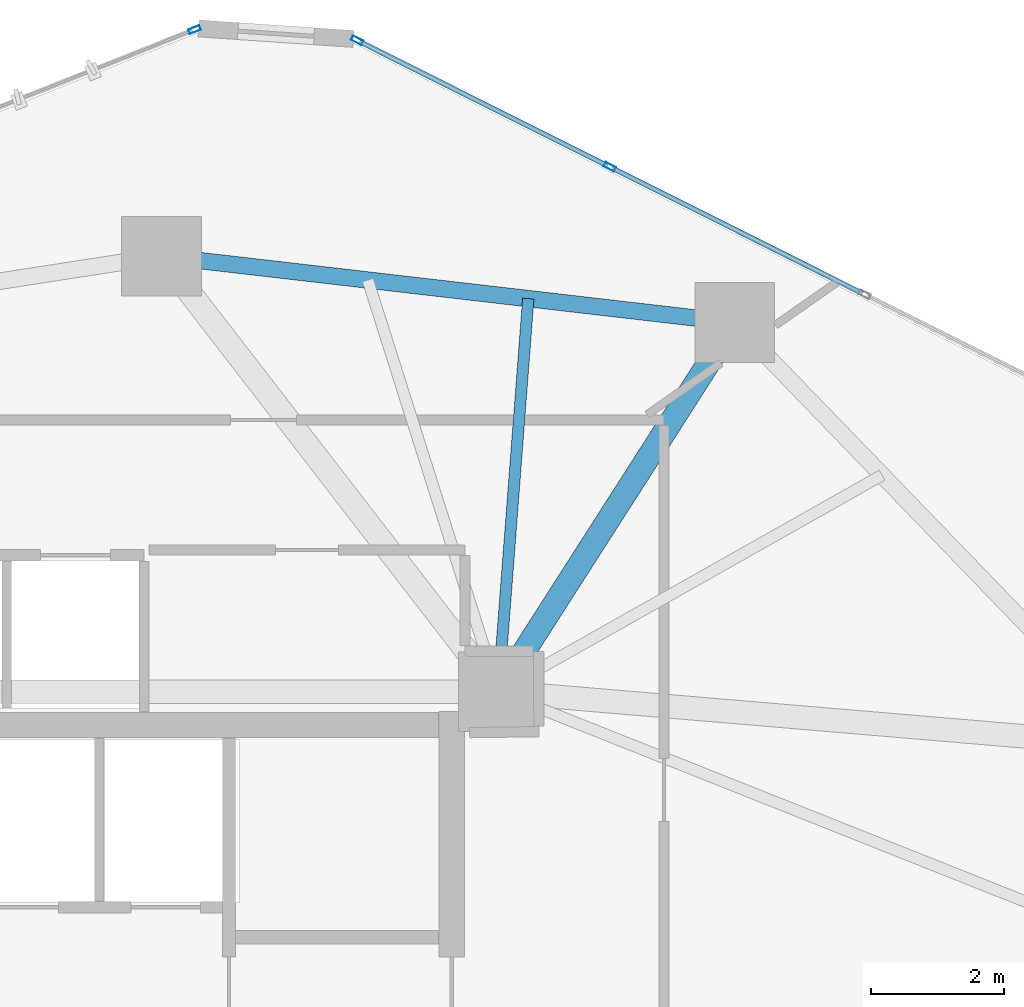
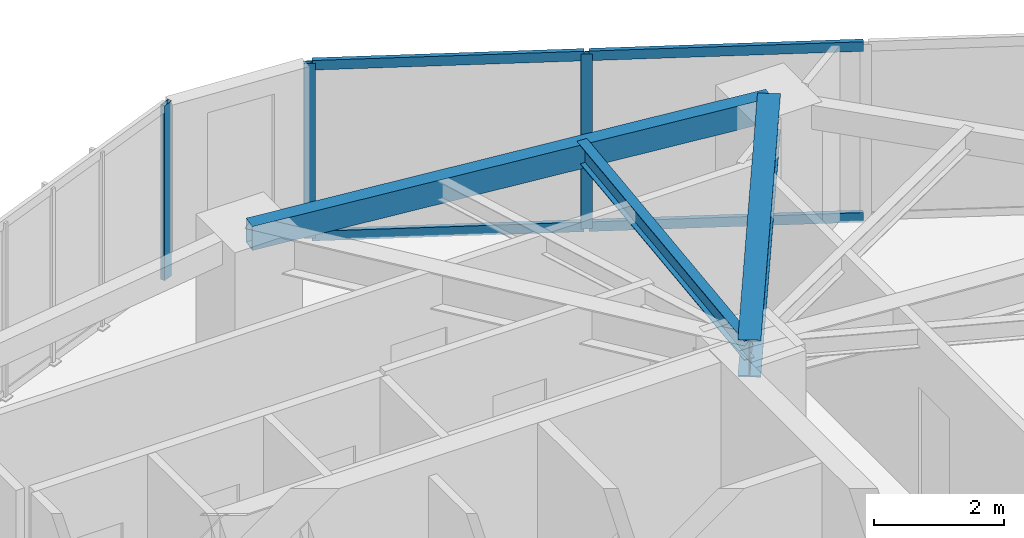
# One storey, part 14 of 22: 7 members, 3 beams, 2 elements without a shape of their own.
"""IFC4 building model written with IfcOpenShell, lengths in metres."""

from ifc_helpers import new_model, si_unit, direction, frame, origin, origin_2d, place, context, subcontext, project, spatial, hollow_rectangle, i_section, extrude, source, transform, mapped, material, layer, layer_set, material_profile, profile_set, type_object, type_shapes, element, aggregate, save


model = new_model("IFC4")

# Units and contexts
model_context = context("Model", 3, precision=1e-05, world=origin(), true_north=direction((0.0, 1.0)))
body_context = subcontext(model_context, "Body", "Model", "MODEL_VIEW")
ifc_project = project(units=[si_unit("LENGTHUNIT", "METRE"), si_unit("AREAUNIT", "SQUARE_METRE"), si_unit("VOLUMEUNIT", "CUBIC_METRE"), si_unit("PLANEANGLEUNIT", "RADIAN"), si_unit("MASSUNIT", "GRAM", prefix="KILO")], contexts=[model_context])

# Site, building, storey
site_placement = place(None, origin())
site = spatial("IfcSite", under=ifc_project, at=site_placement, CompositionType="ELEMENT")
building_placement = place(site_placement, origin())
building = spatial("IfcBuilding", under=site, at=building_placement, Name="Talar Marvaseh", CompositionType="ELEMENT")
storey_placement = place(building_placement, frame((0.0, 0.0, 154.199951171875)))
storey = spatial("IfcBuildingStorey", under=building, at=storey_placement, Name="L40", CompositionType="ELEMENT", Elevation=154.199951171875)

# Beams
ifc_material_1 = material(Name="Steel S355", Category="steel")
ifc_material_profile_1 = material_profile(ifc_material_1, hollow_rectangle(XDim=0.25, YDim=0.449951171875, WallThickness=0.01611328125, at=origin_2d()), Name="RHS450x250x16")
ifc_profile_set_1 = profile_set([ifc_material_profile_1], Name="Steel S355")
beam_type_1 = type_object("IfcBeamType", Name="Zone 2 Perimeter Spandrel Beam RHS450x250x16", PredefinedType="SPANDREL", material=ifc_profile_set_1)
beam_1_placement = place(storey_placement, frame((28.221923828125, 43.471923828125, 3.054931640625), z_axis=(0.993361914569, -0.115030894474, 0.0), x_axis=(0.115030894474, 0.993361914569, 0.0)))
element("IfcBeam", 1, at=beam_1_placement, inside=storey, type_object=beam_type_1, Name="L40 Zone 2 Perimeter Spandrel Beam RHS450x250x16", PredefinedType="SPANDREL", context=body_context, shape_type="SweptSolid", body=[
    extrude(hollow_rectangle(XDim=0.25, YDim=0.449951171875, WallThickness=0.01611328125, at=origin_2d()), origin(), (0.0, 0.0, 1.0), 8.701904296875),
])
ifc_material_profile_2 = material_profile(ifc_material_1, i_section(OverallWidth=0.35498046875, OverallDepth=0.695068359375, WebThickness=0.015380859375, FlangeThickness=0.02490234375, at=origin_2d()), Name="W690x217")
ifc_profile_set_2 = profile_set([ifc_material_profile_2], Name="Steel S355")
beam_type_2 = type_object("IfcBeamType", Name="Zone 2 Radial Floor Girder W690x217", PredefinedType="BEAM", material=ifc_profile_set_2)
beam_2_placement = place(storey_placement, frame((36.865966796875, 42.470947265625, 2.9326171875), z_axis=(-0.539101874952, -0.842240564461, 0.0), x_axis=(0.842240564461, -0.539101874952, 0.0)))
element("IfcBeam", 2, at=beam_2_placement, inside=storey, type_object=beam_type_2, Name="L40 Zone 2 Radial Floor Girder W690x217", PredefinedType="BEAM", context=body_context, shape_type="SweptSolid", body=[
    extrude(i_section(OverallWidth=0.35498046875, OverallDepth=0.695068359375, WebThickness=0.015380859375, FlangeThickness=0.02490234375, at=origin_2d()), origin(), (0.0, 0.0, 1.0), 6.614501953125),
])
ifc_material_profile_3 = material_profile(ifc_material_1, i_section(OverallWidth=0.172119140625, OverallDepth=0.35791015625, WebThickness=0.0078125, FlangeThickness=0.01318359375, at=origin_2d()), Name="W360x57")
ifc_profile_set_3 = profile_set([ifc_material_profile_3], Name="Steel S355")
beam_type_3 = type_object("IfcBeamType", Name="Zone 2 Secondary Floor Joist W360x57", PredefinedType="JOIST", material=ifc_profile_set_3)
beam_3_placement = place(storey_placement, frame((33.754150390625, 42.831298828125, 3.10107421875), z_axis=(-0.076335577703, -0.99708218296, 0.0), x_axis=(0.99708218296, -0.076335577703, 0.0)))
element("IfcBeam", 3, at=beam_3_placement, inside=storey, type_object=beam_type_3, Name="L40 Zone 2 Secondary Floor Joist W360x57", PredefinedType="JOIST", context=body_context, shape_type="SweptSolid", body=[
    extrude(i_section(OverallWidth=0.172119140625, OverallDepth=0.35791015625, WebThickness=0.0078125, FlangeThickness=0.01318359375, at=origin_2d()), origin(), (0.0, 0.0, 1.0), 5.94873046875),
])

# Curtain wall, members
ifc_material_2 = material(Name="Architectural Aluminium", Category="aluminium")
ifc_layer = layer(ifc_material_2, 0.199951171875)
ifc_layer_set = layer_set([ifc_layer], Name="Architectural Aluminium")
curtain_wall_type = type_object("IfcCurtainWallType", Name="Unitised Acoustic Library Curtain Wall Z2", PredefinedType="NOTDEFINED", material=ifc_layer_set)
curtain_wall_1_placement = place(storey_placement, origin())
curtain_wall_1 = element("IfcCurtainWall", 4, at=curtain_wall_1_placement, inside=storey, type_object=curtain_wall_type, Name="L40 Unitised Acoustic Library Curtain Wall Z2", PredefinedType="NOTDEFINED")
ifc_material_profile_4 = material_profile(ifc_material_2, hollow_rectangle(XDim=0.074951171875, YDim=0.179931640625, WallThickness=0.0048828125, at=origin_2d()), Name="RHS180x75x5")
ifc_profile_set_4 = profile_set([ifc_material_profile_4], Name="Architectural Aluminium")
member_type_1 = type_object("IfcMemberType", Name="Unitised Curtain Wall Transom RHS180x75x5", PredefinedType="USERDEFINED", material=ifc_profile_set_4)
shared_shape_1 = source(origin(), body_context, "Body", "SweptSolid", [
    extrude(hollow_rectangle(XDim=0.074951171875, YDim=0.179931640625, WallThickness=0.0048828125, at=origin_2d()), origin(), (0.0, 0.0, 1.0), 4.222900390625),
])
member_1_placement = place(storey_placement, frame((35.016357421875, 44.8017578125, 0.03759765625), z_axis=(0.894184247126, -0.447699153665, 0.0), x_axis=(0.447699153665, 0.894184247126, 0.0)))
member_1 = element("IfcMember", 5, at=member_1_placement, type_object=member_type_1, Name="CW-Z2 transom 2.1", ObjectType="TRANSOM", PredefinedType="USERDEFINED", context=body_context, shape_type="MappedRepresentation", body=[
    mapped(shared_shape_1, transform((0.0, 0.0, 0.0), x_axis=(1.0, 0.0, 0.0), y_axis=(0.0, 1.0, 0.0), z_axis=(0.0, 0.0, 1.0), scale=1.0)),
])
member_2_placement = place(storey_placement, frame((35.016357421875, 44.8017578125, 3.242431640625), z_axis=(0.894184247126, -0.447699153665, 0.0), x_axis=(0.447699153665, 0.894184247126, 0.0)))
member_2 = element("IfcMember", 6, at=member_2_placement, type_object=member_type_1, Name="CW-Z2 transom 2.2", ObjectType="TRANSOM", PredefinedType="USERDEFINED", context=body_context, shape_type="MappedRepresentation", body=[
    mapped(shared_shape_1, transform((0.0, 0.0, 0.0), x_axis=(1.0, 0.0, 0.0), y_axis=(0.0, 1.0, 0.0), z_axis=(0.0, 0.0, 1.0), scale=1.0)),
])
shared_shape_2 = source(origin(), body_context, "Body", "SweptSolid", [
    extrude(hollow_rectangle(XDim=0.074951171875, YDim=0.179931640625, WallThickness=0.0048828125, at=origin_2d()), origin(), (0.0, 0.0, 1.0), 4.185546875),
])
type_shapes(member_type_1, [shared_shape_1, shared_shape_2])
member_3_placement = place(storey_placement, frame((31.206787109375, 46.709228515625, 0.03759765625), z_axis=(0.894170399899, -0.447726809499, 0.0), x_axis=(0.447726809499, 0.894170399899, 0.0)))
member_3 = element("IfcMember", 7, at=member_3_placement, type_object=member_type_1, Name="CW-Z2 transom 1.1", ObjectType="TRANSOM", PredefinedType="USERDEFINED", context=body_context, shape_type="MappedRepresentation", body=[
    mapped(shared_shape_2, transform((0.0, 0.0, 0.0), x_axis=(1.0, 0.0, 0.0), y_axis=(0.0, 1.0, 0.0), z_axis=(0.0, 0.0, 1.0), scale=1.0)),
])
member_4_placement = place(storey_placement, frame((31.206787109375, 46.709228515625, 3.242431640625), z_axis=(0.894170399899, -0.447726809499, 0.0), x_axis=(0.447726809499, 0.894170399899, 0.0)))
member_4 = element("IfcMember", 8, at=member_4_placement, type_object=member_type_1, Name="CW-Z2 transom 1.2", ObjectType="TRANSOM", PredefinedType="USERDEFINED", context=body_context, shape_type="MappedRepresentation", body=[
    mapped(shared_shape_2, transform((0.0, 0.0, 0.0), x_axis=(1.0, 0.0, 0.0), y_axis=(0.0, 1.0, 0.0), z_axis=(0.0, 0.0, 1.0), scale=1.0)),
])

# Curtain wall, member
curtain_wall_2_placement = place(storey_placement, origin())
curtain_wall_2 = element("IfcCurtainWall", 9, at=curtain_wall_2_placement, inside=storey, type_object=curtain_wall_type, Name="L40 Unitised Acoustic Library Curtain Wall Z2", PredefinedType="NOTDEFINED")
ifc_material_profile_5 = material_profile(ifc_material_2, hollow_rectangle(XDim=0.074951171875, YDim=0.179931640625, WallThickness=0.0048828125, at=origin_2d()), Name="RHS180x75x5")
ifc_profile_set_5 = profile_set([ifc_material_profile_5], Name="Architectural Aluminium")
member_type_2 = type_object("IfcMemberType", Name="Unitised Curtain Wall Standard Mullion RHS180x75x5", PredefinedType="MULLION", material=ifc_profile_set_5)
shared_shape_3 = source(origin(), body_context, "Body", "SweptSolid", [
    extrude(hollow_rectangle(XDim=0.074951171875, YDim=0.179931640625, WallThickness=0.0048828125, at=origin_2d()), origin(), (0.0, 0.0, 1.0), 3.280029296875),
])
type_shapes(member_type_2, [shared_shape_3])
member_5_placement = place(storey_placement, frame((28.720458984375, 46.88916015625, 0.0), z_axis=(0.0, 0.0, 1.0), x_axis=(-0.369458491342, 0.929247234688, 0.0)))
member_5 = element("IfcMember", 10, at=member_5_placement, type_object=member_type_2, Name="CW-Z2 mullion 4", PredefinedType="MULLION", context=body_context, shape_type="MappedRepresentation", body=[
    mapped(shared_shape_3, transform((0.0, 0.0, 0.0), x_axis=(1.0, 0.0, 0.0), y_axis=(0.0, 1.0, 0.0), z_axis=(0.0, 0.0, 1.0), scale=1.0)),
])
aggregate(curtain_wall_2, [member_5])

# Member
member_6_placement = place(storey_placement, frame((31.17333984375, 46.725830078125, 0.0), z_axis=(0.0, 0.0, 1.0), x_axis=(0.447702140513, 0.894182751668, 0.0)))
member_6 = element("IfcMember", 11, at=member_6_placement, type_object=member_type_2, Name="CW-Z2 mullion 1", PredefinedType="MULLION", context=body_context, shape_type="MappedRepresentation", body=[
    mapped(shared_shape_3, transform((0.0, 0.0, 0.0), x_axis=(1.0, 0.0, 0.0), y_axis=(0.0, 1.0, 0.0), z_axis=(0.0, 0.0, 1.0), scale=1.0)),
])

member_7_placement = place(storey_placement, frame((34.98291015625, 44.818603515625, 0.0), z_axis=(0.0, 0.0, 1.0), x_axis=(0.447702140513, 0.894182751668, 0.0)))
member_7 = element("IfcMember", 12, at=member_7_placement, type_object=member_type_2, Name="CW-Z2 mullion 2", PredefinedType="MULLION", context=body_context, shape_type="MappedRepresentation", body=[
    mapped(shared_shape_3, transform((0.0, 0.0, 0.0), x_axis=(1.0, 0.0, 0.0), y_axis=(0.0, 1.0, 0.0), z_axis=(0.0, 0.0, 1.0), scale=1.0)),
])

aggregate(curtain_wall_1, [member_6, member_7, member_3, member_4, member_1, member_2])

save(model, "model.ifc")
